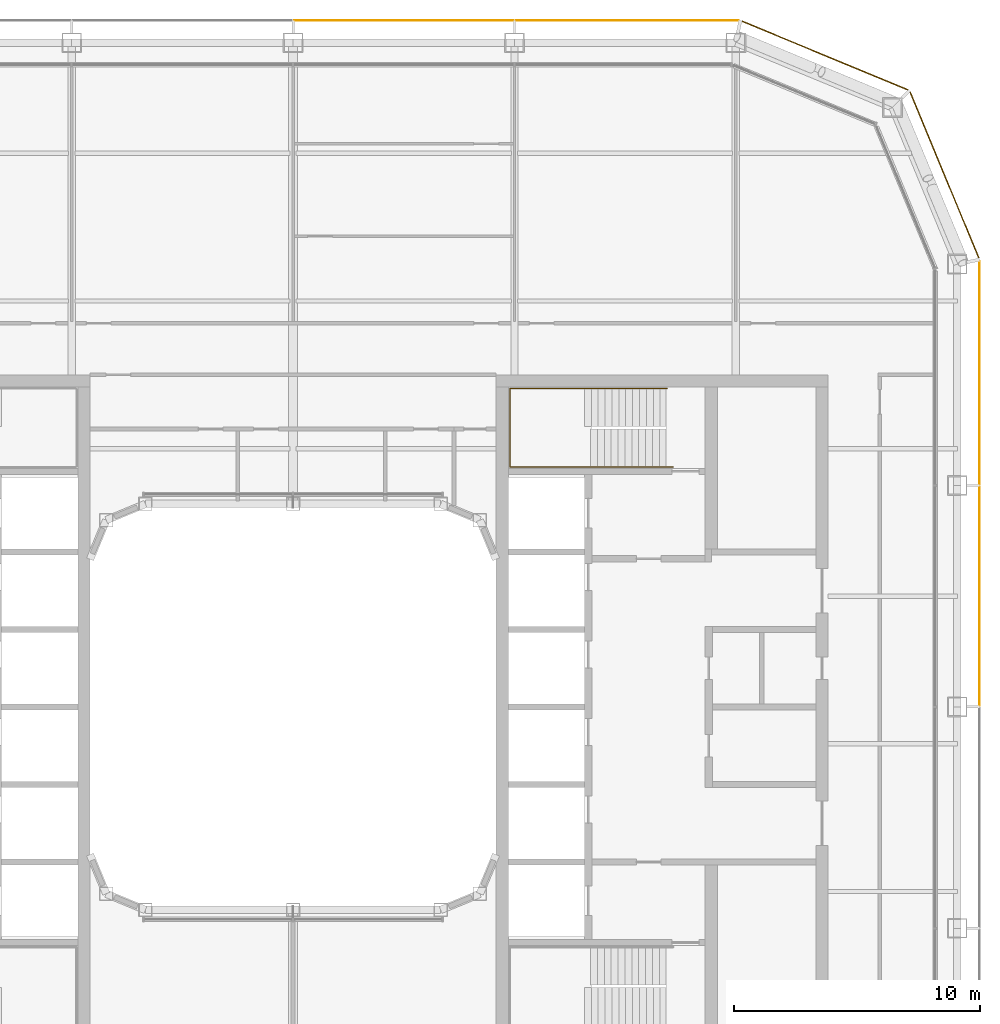
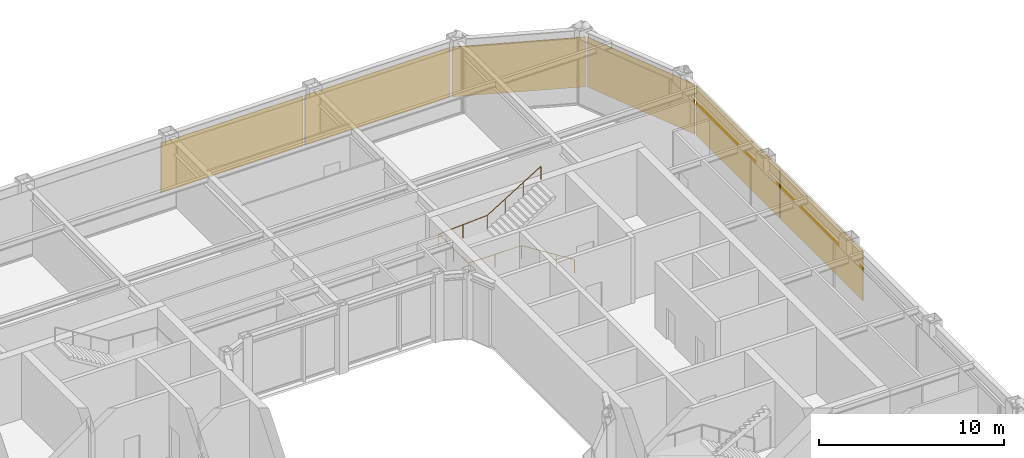
# One storey, part 22 of 23: 6 coverings, 1 railing.
"""IFC4 building model written with IfcOpenShell, lengths in metres."""

from ifc_helpers import new_model, si_unit, direction, frame, origin, origin_2d, place, context, subcontext, project, spatial, rectangle, circle, extrude, material, layer, layer_set, type_object, element, save


model = new_model("IFC4")

# Units and contexts
model_context = context("Model", 3, precision=1e-05, world=origin(), true_north=direction((0.0, 1.0)))
body_context = subcontext(model_context, "Body", "Model", "MODEL_VIEW")
ifc_project = project(units=[si_unit("LENGTHUNIT", "METRE"), si_unit("AREAUNIT", "SQUARE_METRE"), si_unit("VOLUMEUNIT", "CUBIC_METRE"), si_unit("PLANEANGLEUNIT", "RADIAN"), si_unit("MASSUNIT", "GRAM", prefix="KILO")], contexts=[model_context])

# Site, building, storey
site_placement = place(None, origin())
site = spatial("IfcSite", under=ifc_project, at=site_placement, CompositionType="ELEMENT")
building_placement = place(site_placement, origin())
building = spatial("IfcBuilding", under=site, at=building_placement, Name="Siwar Civic Tower", CompositionType="ELEMENT")
storey_placement = place(building_placement, frame((0.0, 0.0, 269.199951171875)))
storey = spatial("IfcBuildingStorey", under=building, at=storey_placement, Name="L58", CompositionType="ELEMENT", Elevation=269.199951171875)

# Railing
ifc_material_1 = material(Name="Stainless steel", Category="steel")
railing_type = type_object("IfcRailingType", Name="CORE-STAIR-HANDRAIL", PredefinedType="HANDRAIL", material=ifc_material_1)
railing_placement = place(storey_placement, frame((15.449951171875, 9.758056640625, 0.173095703125)))
element("IfcRailing", 1, at=railing_placement, inside=storey, type_object=railing_type, Name="Stair handrail ST3", PredefinedType="HANDRAIL", context=body_context, shape_type="SweptSolid", body=[
    extrude(circle(Radius=0.02001953125, at=origin_2d()), frame((0.0, 0.0, 0.8798828125), z_axis=(-0.847063342986, 0.0, 0.531491950051), x_axis=(0.0, -1.0, 0.0)), (0.0, 0.0, 1.0), 3.90771484375),
    extrude(circle(Radius=0.02001953125, at=origin_2d()), frame((-3.31005859375, 0.0, 2.956787109375), z_axis=(-1.0, 0.0, 0.0), x_axis=(0.0, -1.0, 0.0)), (0.0, 0.0, 1.0), 3.331787109375),
    extrude(circle(Radius=0.02001953125, at=origin_2d()), frame((-6.641845703125, 0.0, 2.956787109375), z_axis=(0.0, 1.0, 0.0), x_axis=(-1.0, 0.0, 0.0)), (0.0, 0.0, 1.0), 3.183837890625),
    extrude(circle(Radius=0.02001953125, at=origin_2d()), frame((-6.641845703125, 3.183837890625, 2.956787109375), z_axis=(0.99837434197, 0.0, 0.056997134106), x_axis=(0.0, 1.0, 0.0)), (0.0, 0.0, 1.0), 3.036865234375),
    extrude(circle(Radius=0.02001953125, at=origin_2d()), frame((-3.60986328125, 3.183837890625, 3.1298828125), z_axis=(0.850606129759, 0.0, 0.525803396734), x_axis=(0.0, 1.0, 0.0)), (0.0, 0.0, 1.0), 3.949951171875),
    extrude(circle(Radius=0.02001953125, at=origin_2d()), origin(), (0.0, 0.0, 1.0), 0.85986328125),
    extrude(circle(Radius=0.02001953125, at=origin_2d()), frame((-1.103271484375, 0.0, 0.6923828125)), (0.0, 0.0, 1.0), 0.85986328125),
    extrude(circle(Radius=0.02001953125, at=origin_2d()), frame((-2.206787109375, 0.0, 1.384521484375)), (0.0, 0.0, 1.0), 0.85986328125),
    extrude(circle(Radius=0.02001953125, at=origin_2d()), frame((-3.31005859375, 0.0, 2.076904296875)), (0.0, 0.0, 1.0), 0.85986328125),
    extrude(circle(Radius=0.02001953125, at=origin_2d()), frame((-4.97607421875, 0.0, 2.076904296875)), (0.0, 0.0, 1.0), 0.85986328125),
    extrude(circle(Radius=0.02001953125, at=origin_2d()), frame((-6.641845703125, 0.0, 2.076904296875)), (0.0, 0.0, 1.0), 0.85986328125),
    extrude(circle(Radius=0.02001953125, at=origin_2d()), frame((-6.641845703125, 1.591796875, 2.076904296875)), (0.0, 0.0, 1.0), 0.85986328125),
    extrude(circle(Radius=0.02001953125, at=origin_2d()), frame((-6.641845703125, 3.183837890625, 2.076904296875)), (0.0, 0.0, 1.0), 0.85986328125),
    extrude(circle(Radius=0.02001953125, at=origin_2d()), frame((-5.1259765625, 3.183837890625, 2.16357421875)), (0.0, 0.0, 1.0), 0.85986328125),
    extrude(circle(Radius=0.02001953125, at=origin_2d()), frame((-3.60986328125, 3.183837890625, 2.25)), (0.0, 0.0, 1.0), 0.85986328125),
    extrude(circle(Radius=0.02001953125, at=origin_2d()), frame((-2.489990234375, 3.183837890625, 2.9423828125)), (0.0, 0.0, 1.0), 0.85986328125),
    extrude(circle(Radius=0.02001953125, at=origin_2d()), frame((-1.369873046875, 3.183837890625, 3.634521484375)), (0.0, 0.0, 1.0), 0.85986328125),
    extrude(circle(Radius=0.02001953125, at=origin_2d()), frame((-0.25, 3.183837890625, 4.326904296875)), (0.0, 0.0, 1.0), 0.85986328125),
])

# Coverings
ifc_material_2 = material(Name="Perforated aluminium cassette, pale metal", Category="aluminium")
ifc_layer = layer(ifc_material_2, 0.0400390625)
ifc_layer_set = layer_set([ifc_layer], Name="Perforated aluminium cassette, pale metal")
covering_type = type_object("IfcCoveringType", Name="ENV-OUTER SKIN OS-1", PredefinedType="CLADDING", material=ifc_layer_set)
covering_1_placement = place(storey_placement, frame((27.89990234375, 4.5, -0.14990234375), z_axis=(0.0, 0.0, 1.0), x_axis=(0.0, 1.0, 0.0)))
element("IfcCovering", 2, at=covering_1_placement, inside=storey, type_object=covering_type, Name="OUTER SKIN OS-1 E 3", PredefinedType="CLADDING", context=body_context, shape_type="SweptSolid", body=[
    extrude(rectangle(XDim=8.89990234375, YDim=0.0400390625, at=origin_2d()), origin(), (0.0, 0.0, 1.0), 3.300048828125),
])
covering_2_placement = place(storey_placement, frame((27.89990234375, 13.57958984375, -0.14990234375), z_axis=(0.0, 0.0, 1.0), x_axis=(0.0, 1.0, 0.0)))
element("IfcCovering", 3, at=covering_2_placement, inside=storey, type_object=covering_type, Name="OUTER SKIN OS-1 E 4", PredefinedType="CLADDING", context=body_context, shape_type="SweptSolid", body=[
    extrude(rectangle(XDim=9.05908203125, YDim=0.0400390625, at=origin_2d()), origin(), (0.0, 0.0, 1.0), 3.300048828125),
])
for number, where, z_axis, x_axis, name in (
    (4, (26.476318359375, 21.615966796875, -0.14990234375), (0.0, 0.0, 1.0), (-0.382683432365, 0.923879532511, 0.0), "OUTER SKIN OS-1 NE1 1"),
    (5, (21.615966796875, 26.476318359375, -0.14990234375), (0.0, 0.0, 1.0), (-0.923879532511, 0.382683432365, 0.0), "OUTER SKIN OS-1 NE2 1"),
):
    element("IfcCovering", number, at=place(storey_placement, frame(where, z_axis=z_axis, x_axis=x_axis)), inside=storey, type_object=covering_type, Name=name, PredefinedType="CLADDING", context=body_context, shape_type="SweptSolid", body=[
        extrude(rectangle(XDim=7.300048828125, YDim=0.0400390625, at=origin_2d()), origin(), (0.0, 0.0, 1.0), 3.300048828125),
    ])
covering_3_placement = place(storey_placement, frame((13.57958984375, 27.89990234375, -0.14990234375), z_axis=(0.0, 0.0, 1.0), x_axis=(-1.0, 0.0, 0.0)))
element("IfcCovering", 6, at=covering_3_placement, inside=storey, type_object=covering_type, Name="OUTER SKIN OS-1 N 1", PredefinedType="CLADDING", context=body_context, shape_type="SweptSolid", body=[
    extrude(rectangle(XDim=9.05908203125, YDim=0.0400390625, at=origin_2d()), origin(), (0.0, 0.0, 1.0), 3.300048828125),
])
covering_4_placement = place(storey_placement, frame((4.5, 27.89990234375, -0.14990234375), z_axis=(0.0, 0.0, 1.0), x_axis=(-1.0, 0.0, 0.0)))
element("IfcCovering", 7, at=covering_4_placement, inside=storey, type_object=covering_type, Name="OUTER SKIN OS-1 N 2", PredefinedType="CLADDING", context=body_context, shape_type="SweptSolid", body=[
    extrude(rectangle(XDim=8.89990234375, YDim=0.0400390625, at=origin_2d()), origin(), (0.0, 0.0, 1.0), 3.300048828125),
])

save(model, "model.ifc")
